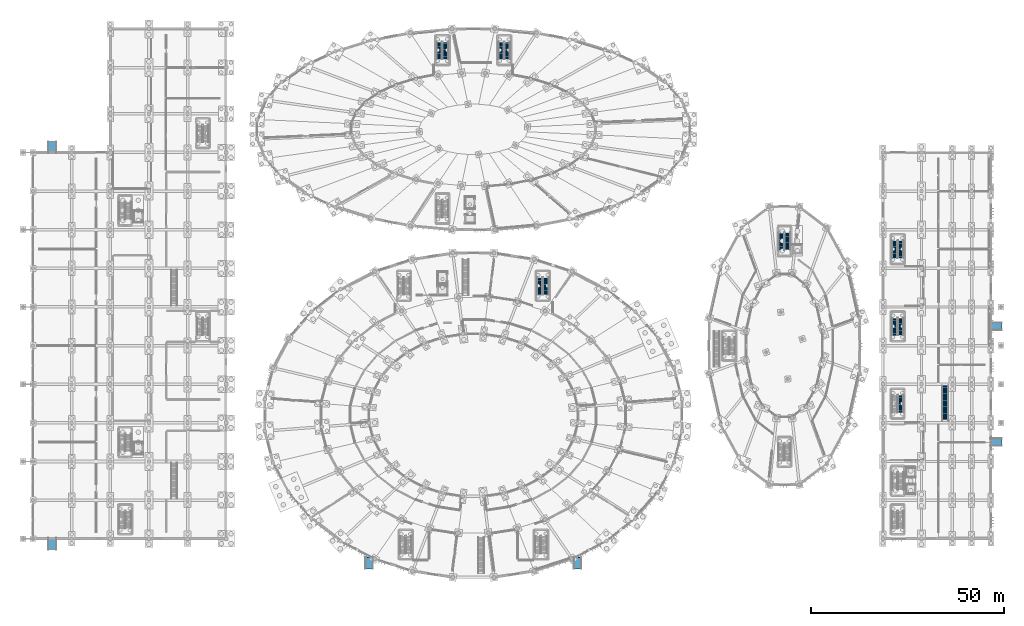
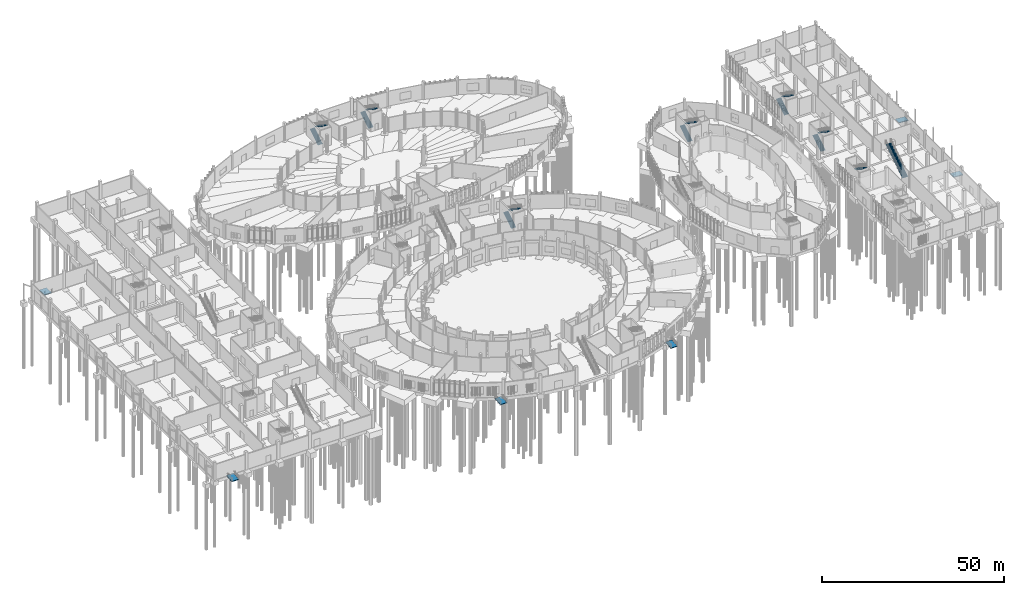
# One storey, part 98 of 140: 14 stair flights, 6 ramp flights, 14 elements without a shape of their own.
"""IFC4 building model written with IfcOpenShell, lengths in metres."""

from ifc_helpers import new_model, si_unit, direction, frame, origin, place, context, subcontext, project, spatial, polyline, outline, extrude, material, layer, layer_set, type_object, element, aggregate, save


model = new_model("IFC4")

# Units and contexts
model_context = context("Model", 3, precision=1e-05, world=origin(), true_north=direction((0.0, 1.0)))
body_context = subcontext(model_context, "Body", "Model", "MODEL_VIEW")
ifc_project = project(units=[si_unit("LENGTHUNIT", "METRE"), si_unit("AREAUNIT", "SQUARE_METRE"), si_unit("VOLUMEUNIT", "CUBIC_METRE"), si_unit("PLANEANGLEUNIT", "RADIAN"), si_unit("MASSUNIT", "GRAM", prefix="KILO")], contexts=[model_context])

# Site, building, storey
site_placement = place(None, origin())
site = spatial("IfcSite", under=ifc_project, at=site_placement, CompositionType="ELEMENT")
building_placement = place(site_placement, origin())
building = spatial("IfcBuilding", under=site, at=building_placement, Name="Corvandel Quay Wholesale Market", CompositionType="ELEMENT")
storey_placement = place(building_placement, origin())
storey = spatial("IfcBuildingStorey", under=building, at=storey_placement, Name="L00", CompositionType="ELEMENT", Elevation=0.0)

# Stair, stair flights
ifc_material_1 = material(Name="Concrete C40/50", Category="concrete")
stair_type_1 = type_object("IfcStairType", Name="Exit Stair Two-Return L00-L01 ST01", PredefinedType="USERDEFINED", material=ifc_material_1)
stair_1_placement = place(storey_placement, origin())
stair_1 = element("IfcStair", 1, at=stair_1_placement, inside=storey, type_object=stair_type_1, Name="Exit Stair STR-003", ObjectType="TWO_RETURN_STAIR", PredefinedType="USERDEFINED")
ifc_layer_1 = layer(ifc_material_1, 0.199951171875)
ifc_layer_set_1 = layer_set([ifc_layer_1], Name="Concrete C40/50")
stair_flight_type_1 = type_object("IfcStairFlightType", Name="Precast Stair Flight FL01 W1480", PredefinedType="STRAIGHT", material=ifc_layer_set_1)
stair_flight_1_placement = place(storey_placement, frame((131.199951171875, 73.14990234375, 0.0), z_axis=(0.0, 0.0, 1.0), x_axis=(0.0, 1.0, 0.0)))
stair_flight_1 = element("IfcStairFlight", 2, at=stair_flight_1_placement, type_object=stair_flight_type_1, Name="Stair Flight STR-003-F1", NumberOfRisers=17, NumberOfTreads=16, PredefinedType="STRAIGHT", RiserHeight=0.176471, TreadLength=0.28, context=body_context, shape_type="SweptSolid", body=[
    extrude(outline(polyline([(0.0, 0.0), (0.0, 0.176513671875), (0.280029296875, 0.176513671875), (0.280029296875, 0.35302734375), (0.56005859375, 0.35302734375), (0.56005859375, 0.529296875), (0.840087890625, 0.529296875), (0.840087890625, 0.705810546875), (1.1201171875, 0.705810546875), (1.1201171875, 0.88232421875), (1.39990234375, 0.88232421875), (1.39990234375, 1.058837890625), (1.679931640625, 1.058837890625), (1.679931640625, 1.2353515625), (1.9599609375, 1.2353515625), (1.9599609375, 1.411865234375), (2.239990234375, 1.411865234375), (2.239990234375, 1.588134765625), (2.52001953125, 1.588134765625), (2.52001953125, 1.7646484375), (2.800048828125, 1.7646484375), (2.800048828125, 1.941162109375), (3.080078125, 1.941162109375), (3.080078125, 2.11767578125), (3.360107421875, 2.11767578125), (3.360107421875, 2.294189453125), (3.639892578125, 2.294189453125), (3.639892578125, 2.470703125), (3.919921875, 2.470703125), (3.919921875, 2.64697265625), (4.199951171875, 2.64697265625), (4.199951171875, 2.823486328125), (4.47998046875, 2.823486328125), (4.47998046875, 3.0), (4.47998046875, 2.646240234375), (0.28125, 0.0), (0.0, 0.0)])), frame((0.0, 0.739990234375, 0.0), z_axis=(0.0, -1.0, 0.0), x_axis=(1.0, 0.0, 0.0)), (0.0, 0.0, 1.0), 1.47998046875),
])
stair_flight_2_placement = place(storey_placement, frame((132.800048828125, 77.699951171875, 3.0), z_axis=(0.0, 0.0, 1.0), x_axis=(0.0, -1.0, 0.0)))
stair_flight_2 = element("IfcStairFlight", 3, at=stair_flight_2_placement, type_object=stair_flight_type_1, Name="Stair Flight STR-003-F2", NumberOfRisers=17, NumberOfTreads=16, PredefinedType="STRAIGHT", RiserHeight=0.176471, TreadLength=0.28, context=body_context, shape_type="SweptSolid", body=[
    extrude(outline(polyline([(0.0, 0.0), (0.0, 0.176513671875), (0.280029296875, 0.176513671875), (0.280029296875, 0.35302734375), (0.56005859375, 0.35302734375), (0.56005859375, 0.529296875), (0.840087890625, 0.529296875), (0.840087890625, 0.705810546875), (1.1201171875, 0.705810546875), (1.1201171875, 0.88232421875), (1.39990234375, 0.88232421875), (1.39990234375, 1.058837890625), (1.679931640625, 1.058837890625), (1.679931640625, 1.2353515625), (1.9599609375, 1.2353515625), (1.9599609375, 1.411865234375), (2.239990234375, 1.411865234375), (2.239990234375, 1.588134765625), (2.52001953125, 1.588134765625), (2.52001953125, 1.7646484375), (2.800048828125, 1.7646484375), (2.800048828125, 1.941162109375), (3.080078125, 1.941162109375), (3.080078125, 2.11767578125), (3.360107421875, 2.11767578125), (3.360107421875, 2.294189453125), (3.639892578125, 2.294189453125), (3.639892578125, 2.470703125), (3.919921875, 2.470703125), (3.919921875, 2.64697265625), (4.199951171875, 2.64697265625), (4.199951171875, 2.823486328125), (4.47998046875, 2.823486328125), (4.47998046875, 3.0), (4.47998046875, 2.646240234375), (0.28125, 0.0), (0.0, 0.0)])), frame((0.0, 0.739990234375, 0.0), z_axis=(0.0, -1.0, 0.0), x_axis=(1.0, 0.0, 0.0)), (0.0, 0.0, 1.0), 1.47998046875),
])
aggregate(stair_1, [stair_flight_1, stair_flight_2])

stair_2_placement = place(storey_placement, origin())
stair_2 = element("IfcStair", 4, at=stair_2_placement, inside=storey, type_object=stair_type_1, Name="Exit Stair STR-011", ObjectType="TWO_RETURN_STAIR", PredefinedType="USERDEFINED")
stair_flight_3_placement = place(storey_placement, frame((105.199951171875, 134.14990234375, 0.0), z_axis=(0.0, 0.0, 1.0), x_axis=(0.0, 1.0, 0.0)))
stair_flight_3 = element("IfcStairFlight", 5, at=stair_flight_3_placement, type_object=stair_flight_type_1, Name="Stair Flight STR-011-F1", NumberOfRisers=17, NumberOfTreads=16, PredefinedType="STRAIGHT", RiserHeight=0.176471, TreadLength=0.28, context=body_context, shape_type="SweptSolid", body=[
    extrude(outline(polyline([(0.0, 0.0), (0.0, 0.176513671875), (0.280029296875, 0.176513671875), (0.280029296875, 0.35302734375), (0.56005859375, 0.35302734375), (0.56005859375, 0.529296875), (0.840087890625, 0.529296875), (0.840087890625, 0.705810546875), (1.1201171875, 0.705810546875), (1.1201171875, 0.88232421875), (1.39990234375, 0.88232421875), (1.39990234375, 1.058837890625), (1.679931640625, 1.058837890625), (1.679931640625, 1.2353515625), (1.9599609375, 1.2353515625), (1.9599609375, 1.411865234375), (2.239990234375, 1.411865234375), (2.239990234375, 1.588134765625), (2.52001953125, 1.588134765625), (2.52001953125, 1.7646484375), (2.800048828125, 1.7646484375), (2.800048828125, 1.941162109375), (3.080078125, 1.941162109375), (3.080078125, 2.11767578125), (3.360107421875, 2.11767578125), (3.360107421875, 2.294189453125), (3.639892578125, 2.294189453125), (3.639892578125, 2.470703125), (3.919921875, 2.470703125), (3.919921875, 2.64697265625), (4.199951171875, 2.64697265625), (4.199951171875, 2.823486328125), (4.47998046875, 2.823486328125), (4.47998046875, 3.0), (4.47998046875, 2.646240234375), (0.28125, 0.0), (0.0, 0.0)])), frame((0.0, 0.739990234375, 0.0), z_axis=(0.0, -1.0, 0.0), x_axis=(1.0, 0.0, 0.0)), (0.0, 0.0, 1.0), 1.47998046875),
])
stair_flight_4_placement = place(storey_placement, frame((106.800048828125, 138.699951171875, 3.0), z_axis=(0.0, 0.0, 1.0), x_axis=(0.0, -1.0, 0.0)))
stair_flight_4 = element("IfcStairFlight", 6, at=stair_flight_4_placement, type_object=stair_flight_type_1, Name="Stair Flight STR-011-F2", NumberOfRisers=17, NumberOfTreads=16, PredefinedType="STRAIGHT", RiserHeight=0.176471, TreadLength=0.28, context=body_context, shape_type="SweptSolid", body=[
    extrude(outline(polyline([(0.0, 0.0), (0.0, 0.176513671875), (0.280029296875, 0.176513671875), (0.280029296875, 0.35302734375), (0.56005859375, 0.35302734375), (0.56005859375, 0.529296875), (0.840087890625, 0.529296875), (0.840087890625, 0.705810546875), (1.1201171875, 0.705810546875), (1.1201171875, 0.88232421875), (1.39990234375, 0.88232421875), (1.39990234375, 1.058837890625), (1.679931640625, 1.058837890625), (1.679931640625, 1.2353515625), (1.9599609375, 1.2353515625), (1.9599609375, 1.411865234375), (2.239990234375, 1.411865234375), (2.239990234375, 1.588134765625), (2.52001953125, 1.588134765625), (2.52001953125, 1.7646484375), (2.800048828125, 1.7646484375), (2.800048828125, 1.941162109375), (3.080078125, 1.941162109375), (3.080078125, 2.11767578125), (3.360107421875, 2.11767578125), (3.360107421875, 2.294189453125), (3.639892578125, 2.294189453125), (3.639892578125, 2.470703125), (3.919921875, 2.470703125), (3.919921875, 2.64697265625), (4.199951171875, 2.64697265625), (4.199951171875, 2.823486328125), (4.47998046875, 2.823486328125), (4.47998046875, 3.0), (4.47998046875, 2.646240234375), (0.28125, 0.0), (0.0, 0.0)])), frame((0.0, 0.739990234375, 0.0), z_axis=(0.0, -1.0, 0.0), x_axis=(1.0, 0.0, 0.0)), (0.0, 0.0, 1.0), 1.47998046875),
])
aggregate(stair_2, [stair_flight_3, stair_flight_4])

stair_3_placement = place(storey_placement, origin())
stair_3 = element("IfcStair", 7, at=stair_3_placement, inside=storey, type_object=stair_type_1, Name="Exit Stair STR-012", ObjectType="TWO_RETURN_STAIR", PredefinedType="USERDEFINED")
stair_flight_5_placement = place(storey_placement, frame((121.199951171875, 134.14990234375, 0.0), z_axis=(0.0, 0.0, 1.0), x_axis=(0.0, 1.0, 0.0)))
stair_flight_5 = element("IfcStairFlight", 8, at=stair_flight_5_placement, type_object=stair_flight_type_1, Name="Stair Flight STR-012-F1", NumberOfRisers=17, NumberOfTreads=16, PredefinedType="STRAIGHT", RiserHeight=0.176471, TreadLength=0.28, context=body_context, shape_type="SweptSolid", body=[
    extrude(outline(polyline([(0.0, 0.0), (0.0, 0.176513671875), (0.280029296875, 0.176513671875), (0.280029296875, 0.35302734375), (0.56005859375, 0.35302734375), (0.56005859375, 0.529296875), (0.840087890625, 0.529296875), (0.840087890625, 0.705810546875), (1.1201171875, 0.705810546875), (1.1201171875, 0.88232421875), (1.39990234375, 0.88232421875), (1.39990234375, 1.058837890625), (1.679931640625, 1.058837890625), (1.679931640625, 1.2353515625), (1.9599609375, 1.2353515625), (1.9599609375, 1.411865234375), (2.239990234375, 1.411865234375), (2.239990234375, 1.588134765625), (2.52001953125, 1.588134765625), (2.52001953125, 1.7646484375), (2.800048828125, 1.7646484375), (2.800048828125, 1.941162109375), (3.080078125, 1.941162109375), (3.080078125, 2.11767578125), (3.360107421875, 2.11767578125), (3.360107421875, 2.294189453125), (3.639892578125, 2.294189453125), (3.639892578125, 2.470703125), (3.919921875, 2.470703125), (3.919921875, 2.64697265625), (4.199951171875, 2.64697265625), (4.199951171875, 2.823486328125), (4.47998046875, 2.823486328125), (4.47998046875, 3.0), (4.47998046875, 2.646240234375), (0.28125, 0.0), (0.0, 0.0)])), frame((0.0, 0.739990234375, 0.0), z_axis=(0.0, -1.0, 0.0), x_axis=(1.0, 0.0, 0.0)), (0.0, 0.0, 1.0), 1.47998046875),
])
stair_flight_6_placement = place(storey_placement, frame((122.800048828125, 138.699951171875, 3.0), z_axis=(0.0, 0.0, 1.0), x_axis=(0.0, -1.0, 0.0)))
stair_flight_6 = element("IfcStairFlight", 9, at=stair_flight_6_placement, type_object=stair_flight_type_1, Name="Stair Flight STR-012-F2", NumberOfRisers=17, NumberOfTreads=16, PredefinedType="STRAIGHT", RiserHeight=0.176471, TreadLength=0.28, context=body_context, shape_type="SweptSolid", body=[
    extrude(outline(polyline([(0.0, 0.0), (0.0, 0.176513671875), (0.280029296875, 0.176513671875), (0.280029296875, 0.35302734375), (0.56005859375, 0.35302734375), (0.56005859375, 0.529296875), (0.840087890625, 0.529296875), (0.840087890625, 0.705810546875), (1.1201171875, 0.705810546875), (1.1201171875, 0.88232421875), (1.39990234375, 0.88232421875), (1.39990234375, 1.058837890625), (1.679931640625, 1.058837890625), (1.679931640625, 1.2353515625), (1.9599609375, 1.2353515625), (1.9599609375, 1.411865234375), (2.239990234375, 1.411865234375), (2.239990234375, 1.588134765625), (2.52001953125, 1.588134765625), (2.52001953125, 1.7646484375), (2.800048828125, 1.7646484375), (2.800048828125, 1.941162109375), (3.080078125, 1.941162109375), (3.080078125, 2.11767578125), (3.360107421875, 2.11767578125), (3.360107421875, 2.294189453125), (3.639892578125, 2.294189453125), (3.639892578125, 2.470703125), (3.919921875, 2.470703125), (3.919921875, 2.64697265625), (4.199951171875, 2.64697265625), (4.199951171875, 2.823486328125), (4.47998046875, 2.823486328125), (4.47998046875, 3.0), (4.47998046875, 2.646240234375), (0.28125, 0.0), (0.0, 0.0)])), frame((0.0, 0.739990234375, 0.0), z_axis=(0.0, -1.0, 0.0), x_axis=(1.0, 0.0, 0.0)), (0.0, 0.0, 1.0), 1.47998046875),
])
aggregate(stair_3, [stair_flight_5, stair_flight_6])

stair_4_placement = place(storey_placement, origin())
stair_4 = element("IfcStair", 10, at=stair_4_placement, inside=storey, type_object=stair_type_1, Name="Exit Stair STR-013", ObjectType="TWO_RETURN_STAIR", PredefinedType="USERDEFINED")
stair_flight_7_placement = place(storey_placement, frame((193.75, 84.75, 0.0), z_axis=(0.0, 0.0, 1.0), x_axis=(0.0, 1.0, 0.0)))
stair_flight_7 = element("IfcStairFlight", 11, at=stair_flight_7_placement, type_object=stair_flight_type_1, Name="Stair Flight STR-013-F1", NumberOfRisers=17, NumberOfTreads=16, PredefinedType="STRAIGHT", RiserHeight=0.176471, TreadLength=0.28, context=body_context, shape_type="SweptSolid", body=[
    extrude(outline(polyline([(0.0, 0.0), (0.0, 0.176513671875), (0.280029296875, 0.176513671875), (0.280029296875, 0.35302734375), (0.56005859375, 0.35302734375), (0.56005859375, 0.529296875), (0.840087890625, 0.529296875), (0.840087890625, 0.705810546875), (1.1201171875, 0.705810546875), (1.1201171875, 0.88232421875), (1.39990234375, 0.88232421875), (1.39990234375, 1.058837890625), (1.679931640625, 1.058837890625), (1.679931640625, 1.2353515625), (1.9599609375, 1.2353515625), (1.9599609375, 1.411865234375), (2.239990234375, 1.411865234375), (2.239990234375, 1.588134765625), (2.52001953125, 1.588134765625), (2.52001953125, 1.7646484375), (2.800048828125, 1.7646484375), (2.800048828125, 1.941162109375), (3.080078125, 1.941162109375), (3.080078125, 2.11767578125), (3.360107421875, 2.11767578125), (3.360107421875, 2.294189453125), (3.639892578125, 2.294189453125), (3.639892578125, 2.470703125), (3.919921875, 2.470703125), (3.919921875, 2.64697265625), (4.199951171875, 2.64697265625), (4.199951171875, 2.823486328125), (4.47998046875, 2.823486328125), (4.47998046875, 3.0), (4.47998046875, 2.646240234375), (0.28125, 0.0), (0.0, 0.0)])), frame((0.0, 0.739990234375, 0.0), z_axis=(0.0, -1.0, 0.0), x_axis=(1.0, 0.0, 0.0)), (0.0, 0.0, 1.0), 1.47998046875),
])
stair_flight_8_placement = place(storey_placement, frame((195.35009765625, 89.300048828125, 3.0), z_axis=(0.0, 0.0, 1.0), x_axis=(0.0, -1.0, 0.0)))
stair_flight_8 = element("IfcStairFlight", 12, at=stair_flight_8_placement, type_object=stair_flight_type_1, Name="Stair Flight STR-013-F2", NumberOfRisers=17, NumberOfTreads=16, PredefinedType="STRAIGHT", RiserHeight=0.176471, TreadLength=0.28, context=body_context, shape_type="SweptSolid", body=[
    extrude(outline(polyline([(0.0, 0.0), (0.0, 0.176513671875), (0.280029296875, 0.176513671875), (0.280029296875, 0.35302734375), (0.56005859375, 0.35302734375), (0.56005859375, 0.529296875), (0.840087890625, 0.529296875), (0.840087890625, 0.705810546875), (1.1201171875, 0.705810546875), (1.1201171875, 0.88232421875), (1.39990234375, 0.88232421875), (1.39990234375, 1.058837890625), (1.679931640625, 1.058837890625), (1.679931640625, 1.2353515625), (1.9599609375, 1.2353515625), (1.9599609375, 1.411865234375), (2.239990234375, 1.411865234375), (2.239990234375, 1.588134765625), (2.52001953125, 1.588134765625), (2.52001953125, 1.7646484375), (2.800048828125, 1.7646484375), (2.800048828125, 1.941162109375), (3.080078125, 1.941162109375), (3.080078125, 2.11767578125), (3.360107421875, 2.11767578125), (3.360107421875, 2.294189453125), (3.639892578125, 2.294189453125), (3.639892578125, 2.470703125), (3.919921875, 2.470703125), (3.919921875, 2.64697265625), (4.199951171875, 2.64697265625), (4.199951171875, 2.823486328125), (4.47998046875, 2.823486328125), (4.47998046875, 3.0), (4.47998046875, 2.646240234375), (0.28125, 0.0), (0.0, 0.0)])), frame((0.0, 0.739990234375, 0.0), z_axis=(0.0, -1.0, 0.0), x_axis=(1.0, 0.0, 0.0)), (0.0, 0.0, 1.0), 1.47998046875),
])
aggregate(stair_4, [stair_flight_7, stair_flight_8])

# Stair, stair flight
stair_5_placement = place(storey_placement, origin())
stair_5 = element("IfcStair", 13, at=stair_5_placement, inside=storey, type_object=stair_type_1, Name="Exit Stair STR-029", ObjectType="TWO_RETURN_STAIR", PredefinedType="USERDEFINED")
stair_flight_9_placement = place(storey_placement, frame((224.64990234375, 47.199951171875, 3.0), z_axis=(0.0, 0.0, 1.0), x_axis=(0.0, -1.0, 0.0)))
stair_flight_9 = element("IfcStairFlight", 14, at=stair_flight_9_placement, type_object=stair_flight_type_1, Name="Stair Flight STR-029-F2", NumberOfRisers=17, NumberOfTreads=16, PredefinedType="STRAIGHT", RiserHeight=0.176471, TreadLength=0.28, context=body_context, shape_type="SweptSolid", body=[
    extrude(outline(polyline([(0.0, 0.0), (0.0, 0.176513671875), (0.280029296875, 0.176513671875), (0.280029296875, 0.35302734375), (0.56005859375, 0.35302734375), (0.56005859375, 0.529296875), (0.840087890625, 0.529296875), (0.840087890625, 0.705810546875), (1.1201171875, 0.705810546875), (1.1201171875, 0.88232421875), (1.39990234375, 0.88232421875), (1.39990234375, 1.058837890625), (1.679931640625, 1.058837890625), (1.679931640625, 1.2353515625), (1.9599609375, 1.2353515625), (1.9599609375, 1.411865234375), (2.239990234375, 1.411865234375), (2.239990234375, 1.588134765625), (2.52001953125, 1.588134765625), (2.52001953125, 1.7646484375), (2.800048828125, 1.7646484375), (2.800048828125, 1.941162109375), (3.080078125, 1.941162109375), (3.080078125, 2.11767578125), (3.360107421875, 2.11767578125), (3.360107421875, 2.294189453125), (3.639892578125, 2.294189453125), (3.639892578125, 2.470703125), (3.919921875, 2.470703125), (3.919921875, 2.64697265625), (4.199951171875, 2.64697265625), (4.199951171875, 2.823486328125), (4.47998046875, 2.823486328125), (4.47998046875, 3.0), (4.47998046875, 2.646240234375), (0.28125, 0.0), (0.0, 0.0)])), frame((0.0, 0.739990234375, 0.0), z_axis=(0.0, -1.0, 0.0), x_axis=(1.0, 0.0, 0.0)), (0.0, 0.0, 1.0), 1.47998046875),
])
aggregate(stair_5, [stair_flight_9])

# Stair, stair flights
stair_6_placement = place(storey_placement, origin())
stair_6 = element("IfcStair", 15, at=stair_6_placement, inside=storey, type_object=stair_type_1, Name="Exit Stair STR-032", ObjectType="TWO_RETURN_STAIR", PredefinedType="USERDEFINED")
stair_flight_10_placement = place(storey_placement, frame((223.050048828125, 62.64990234375, 0.0), z_axis=(0.0, 0.0, 1.0), x_axis=(0.0, 1.0, 0.0)))
stair_flight_10 = element("IfcStairFlight", 16, at=stair_flight_10_placement, type_object=stair_flight_type_1, Name="Stair Flight STR-032-F1", NumberOfRisers=17, NumberOfTreads=16, PredefinedType="STRAIGHT", RiserHeight=0.176471, TreadLength=0.28, context=body_context, shape_type="SweptSolid", body=[
    extrude(outline(polyline([(0.0, 0.0), (0.0, 0.176513671875), (0.280029296875, 0.176513671875), (0.280029296875, 0.35302734375), (0.56005859375, 0.35302734375), (0.56005859375, 0.529296875), (0.840087890625, 0.529296875), (0.840087890625, 0.705810546875), (1.1201171875, 0.705810546875), (1.1201171875, 0.88232421875), (1.39990234375, 0.88232421875), (1.39990234375, 1.058837890625), (1.679931640625, 1.058837890625), (1.679931640625, 1.2353515625), (1.9599609375, 1.2353515625), (1.9599609375, 1.411865234375), (2.239990234375, 1.411865234375), (2.239990234375, 1.588134765625), (2.52001953125, 1.588134765625), (2.52001953125, 1.7646484375), (2.800048828125, 1.7646484375), (2.800048828125, 1.941162109375), (3.080078125, 1.941162109375), (3.080078125, 2.11767578125), (3.360107421875, 2.11767578125), (3.360107421875, 2.294189453125), (3.639892578125, 2.294189453125), (3.639892578125, 2.470703125), (3.919921875, 2.470703125), (3.919921875, 2.64697265625), (4.199951171875, 2.64697265625), (4.199951171875, 2.823486328125), (4.47998046875, 2.823486328125), (4.47998046875, 3.0), (4.47998046875, 2.646240234375), (0.28125, 0.0), (0.0, 0.0)])), frame((0.0, 0.739990234375, 0.0), z_axis=(0.0, -1.0, 0.0), x_axis=(1.0, 0.0, 0.0)), (0.0, 0.0, 1.0), 1.47998046875),
])
stair_flight_11_placement = place(storey_placement, frame((224.64990234375, 67.199951171875, 3.0), z_axis=(0.0, 0.0, 1.0), x_axis=(0.0, -1.0, 0.0)))
stair_flight_11 = element("IfcStairFlight", 17, at=stair_flight_11_placement, type_object=stair_flight_type_1, Name="Stair Flight STR-032-F2", NumberOfRisers=17, NumberOfTreads=16, PredefinedType="STRAIGHT", RiserHeight=0.176471, TreadLength=0.28, context=body_context, shape_type="SweptSolid", body=[
    extrude(outline(polyline([(0.0, 0.0), (0.0, 0.176513671875), (0.280029296875, 0.176513671875), (0.280029296875, 0.35302734375), (0.56005859375, 0.35302734375), (0.56005859375, 0.529296875), (0.840087890625, 0.529296875), (0.840087890625, 0.705810546875), (1.1201171875, 0.705810546875), (1.1201171875, 0.88232421875), (1.39990234375, 0.88232421875), (1.39990234375, 1.058837890625), (1.679931640625, 1.058837890625), (1.679931640625, 1.2353515625), (1.9599609375, 1.2353515625), (1.9599609375, 1.411865234375), (2.239990234375, 1.411865234375), (2.239990234375, 1.588134765625), (2.52001953125, 1.588134765625), (2.52001953125, 1.7646484375), (2.800048828125, 1.7646484375), (2.800048828125, 1.941162109375), (3.080078125, 1.941162109375), (3.080078125, 2.11767578125), (3.360107421875, 2.11767578125), (3.360107421875, 2.294189453125), (3.639892578125, 2.294189453125), (3.639892578125, 2.470703125), (3.919921875, 2.470703125), (3.919921875, 2.64697265625), (4.199951171875, 2.64697265625), (4.199951171875, 2.823486328125), (4.47998046875, 2.823486328125), (4.47998046875, 3.0), (4.47998046875, 2.646240234375), (0.28125, 0.0), (0.0, 0.0)])), frame((0.0, 0.739990234375, 0.0), z_axis=(0.0, -1.0, 0.0), x_axis=(1.0, 0.0, 0.0)), (0.0, 0.0, 1.0), 1.47998046875),
])
aggregate(stair_6, [stair_flight_10, stair_flight_11])

stair_7_placement = place(storey_placement, origin())
stair_7 = element("IfcStair", 18, at=stair_7_placement, inside=storey, type_object=stair_type_1, Name="Exit Stair STR-038", ObjectType="TWO_RETURN_STAIR", PredefinedType="USERDEFINED")
stair_flight_12_placement = place(storey_placement, frame((223.050048828125, 82.64990234375, 0.0), z_axis=(0.0, 0.0, 1.0), x_axis=(0.0, 1.0, 0.0)))
stair_flight_12 = element("IfcStairFlight", 19, at=stair_flight_12_placement, type_object=stair_flight_type_1, Name="Stair Flight STR-038-F1", NumberOfRisers=17, NumberOfTreads=16, PredefinedType="STRAIGHT", RiserHeight=0.176471, TreadLength=0.28, context=body_context, shape_type="SweptSolid", body=[
    extrude(outline(polyline([(0.0, 0.0), (0.0, 0.176513671875), (0.280029296875, 0.176513671875), (0.280029296875, 0.35302734375), (0.56005859375, 0.35302734375), (0.56005859375, 0.529296875), (0.840087890625, 0.529296875), (0.840087890625, 0.705810546875), (1.1201171875, 0.705810546875), (1.1201171875, 0.88232421875), (1.39990234375, 0.88232421875), (1.39990234375, 1.058837890625), (1.679931640625, 1.058837890625), (1.679931640625, 1.2353515625), (1.9599609375, 1.2353515625), (1.9599609375, 1.411865234375), (2.239990234375, 1.411865234375), (2.239990234375, 1.588134765625), (2.52001953125, 1.588134765625), (2.52001953125, 1.7646484375), (2.800048828125, 1.7646484375), (2.800048828125, 1.941162109375), (3.080078125, 1.941162109375), (3.080078125, 2.11767578125), (3.360107421875, 2.11767578125), (3.360107421875, 2.294189453125), (3.639892578125, 2.294189453125), (3.639892578125, 2.470703125), (3.919921875, 2.470703125), (3.919921875, 2.64697265625), (4.199951171875, 2.64697265625), (4.199951171875, 2.823486328125), (4.47998046875, 2.823486328125), (4.47998046875, 3.0), (4.47998046875, 2.646240234375), (0.28125, 0.0), (0.0, 0.0)])), frame((0.0, 0.739990234375, 0.0), z_axis=(0.0, -1.0, 0.0), x_axis=(1.0, 0.0, 0.0)), (0.0, 0.0, 1.0), 1.47998046875),
])
stair_flight_13_placement = place(storey_placement, frame((224.64990234375, 87.199951171875, 3.0), z_axis=(0.0, 0.0, 1.0), x_axis=(0.0, -1.0, 0.0)))
stair_flight_13 = element("IfcStairFlight", 20, at=stair_flight_13_placement, type_object=stair_flight_type_1, Name="Stair Flight STR-038-F2", NumberOfRisers=17, NumberOfTreads=16, PredefinedType="STRAIGHT", RiserHeight=0.176471, TreadLength=0.28, context=body_context, shape_type="SweptSolid", body=[
    extrude(outline(polyline([(0.0, 0.0), (0.0, 0.176513671875), (0.280029296875, 0.176513671875), (0.280029296875, 0.35302734375), (0.56005859375, 0.35302734375), (0.56005859375, 0.529296875), (0.840087890625, 0.529296875), (0.840087890625, 0.705810546875), (1.1201171875, 0.705810546875), (1.1201171875, 0.88232421875), (1.39990234375, 0.88232421875), (1.39990234375, 1.058837890625), (1.679931640625, 1.058837890625), (1.679931640625, 1.2353515625), (1.9599609375, 1.2353515625), (1.9599609375, 1.411865234375), (2.239990234375, 1.411865234375), (2.239990234375, 1.588134765625), (2.52001953125, 1.588134765625), (2.52001953125, 1.7646484375), (2.800048828125, 1.7646484375), (2.800048828125, 1.941162109375), (3.080078125, 1.941162109375), (3.080078125, 2.11767578125), (3.360107421875, 2.11767578125), (3.360107421875, 2.294189453125), (3.639892578125, 2.294189453125), (3.639892578125, 2.470703125), (3.919921875, 2.470703125), (3.919921875, 2.64697265625), (4.199951171875, 2.64697265625), (4.199951171875, 2.823486328125), (4.47998046875, 2.823486328125), (4.47998046875, 3.0), (4.47998046875, 2.646240234375), (0.28125, 0.0), (0.0, 0.0)])), frame((0.0, 0.739990234375, 0.0), z_axis=(0.0, -1.0, 0.0), x_axis=(1.0, 0.0, 0.0)), (0.0, 0.0, 1.0), 1.47998046875),
])
aggregate(stair_7, [stair_flight_12, stair_flight_13])

# Stair, stair flight
stair_type_2 = type_object("IfcStairType", Name="Waterfront Feature Straight Stair ST06 W1650", PredefinedType="STRAIGHT_RUN_STAIR", material=ifc_material_1)
stair_8_placement = place(storey_placement, origin())
stair_8 = element("IfcStair", 21, at=stair_8_placement, inside=storey, type_object=stair_type_2, Name="Straight Stair STR-046", PredefinedType="STRAIGHT_RUN_STAIR")
ifc_layer_2 = layer(ifc_material_1, 0.199951171875)
ifc_layer_set_2 = layer_set([ifc_layer_2], Name="Concrete C40/50")
stair_flight_type_2 = type_object("IfcStairFlightType", Name="Straight Stair Flight FL06 W1650", PredefinedType="STRAIGHT", material=ifc_layer_set_2)
stair_flight_14_placement = place(storey_placement, frame((236.199951171875, 40.39990234375, 0.0), z_axis=(0.0, 0.0, 1.0), x_axis=(0.0, 1.0, 0.0)))
stair_flight_14 = element("IfcStairFlight", 22, at=stair_flight_14_placement, type_object=stair_flight_type_2, Name="Straight Flight STR-046-F1", NumberOfRisers=34, NumberOfTreads=33, PredefinedType="STRAIGHT", RiserHeight=0.176471, TreadLength=0.28, context=body_context, shape_type="SweptSolid", body=[
    extrude(outline(polyline([(0.0, 0.0), (0.0, 0.176513671875), (0.280029296875, 0.176513671875), (0.280029296875, 0.35302734375), (0.56005859375, 0.35302734375), (0.56005859375, 0.529296875), (0.840087890625, 0.529296875), (0.840087890625, 0.705810546875), (1.1201171875, 0.705810546875), (1.1201171875, 0.88232421875), (1.39990234375, 0.88232421875), (1.39990234375, 1.058837890625), (1.679931640625, 1.058837890625), (1.679931640625, 1.2353515625), (1.9599609375, 1.2353515625), (1.9599609375, 1.411865234375), (2.239990234375, 1.411865234375), (2.239990234375, 1.588134765625), (2.52001953125, 1.588134765625), (2.52001953125, 1.7646484375), (2.800048828125, 1.7646484375), (2.800048828125, 1.941162109375), (3.080078125, 1.941162109375), (3.080078125, 2.11767578125), (3.360107421875, 2.11767578125), (3.360107421875, 2.294189453125), (3.639892578125, 2.294189453125), (3.639892578125, 2.470703125), (3.919921875, 2.470703125), (3.919921875, 2.64697265625), (4.199951171875, 2.64697265625), (4.199951171875, 2.823486328125), (4.47998046875, 2.823486328125), (4.47998046875, 3.0), (4.760009765625, 3.0), (4.760009765625, 3.176513671875), (5.0400390625, 3.176513671875), (5.0400390625, 3.35302734375), (5.320068359375, 3.35302734375), (5.320068359375, 3.529541015625), (5.60009765625, 3.529541015625), (5.60009765625, 3.705810546875), (5.8798828125, 3.705810546875), (5.8798828125, 3.88232421875), (6.159912109375, 3.88232421875), (6.159912109375, 4.058837890625), (6.43994140625, 4.058837890625), (6.43994140625, 4.2353515625), (6.719970703125, 4.2353515625), (6.719970703125, 4.411865234375), (7.0, 4.411865234375), (7.0, 4.588134765625), (7.280029296875, 4.588134765625), (7.280029296875, 4.7646484375), (7.56005859375, 4.7646484375), (7.56005859375, 4.941162109375), (7.840087890625, 4.941162109375), (7.840087890625, 5.11767578125), (8.1201171875, 5.11767578125), (8.1201171875, 5.294189453125), (8.39990234375, 5.294189453125), (8.39990234375, 5.470703125), (8.679931640625, 5.470703125), (8.679931640625, 5.64697265625), (8.9599609375, 5.64697265625), (8.9599609375, 5.823486328125), (9.239990234375, 5.823486328125), (9.239990234375, 6.0), (9.239990234375, 5.646240234375), (0.28125, 0.0), (0.0, 0.0)])), frame((0.0, 0.824951171875, 0.0), z_axis=(0.0, -1.0, 0.0), x_axis=(1.0, 0.0, 0.0)), (0.0, 0.0, 1.0), 1.64990234375),
])
aggregate(stair_8, [stair_flight_14])

# Ramp, ramp flight
ifc_material_2 = material(Name="Broom-finished Concrete C40/50", Category="concrete")
ramp_type = type_object("IfcRampType", Name="Accessible Concrete Arrival Ramp RMP01 1:12", PredefinedType="STRAIGHT_RUN_RAMP", material=ifc_material_2)
ramp_1_placement = place(storey_placement, origin())
ramp_1 = element("IfcRamp", 23, at=ramp_1_placement, inside=storey, type_object=ramp_type, Name="Produce South Arrival Ramp", PredefinedType="STRAIGHT_RUN_RAMP")
ifc_layer_3 = layer(ifc_material_2, 0.25)
ifc_layer_set_3 = layer_set([ifc_layer_3], Name="Broom-finished Concrete C40/50")
ramp_flight_type = type_object("IfcRampFlightType", Name="Accessible Ramp Flight RMF01 1:12", PredefinedType="STRAIGHT", material=ifc_layer_set_3)
ramp_flight_1_placement = place(storey_placement, frame((142.0, 2.199951171875, -0.219970703125), z_axis=(0.0, -0.073127252529, 0.997322618282), x_axis=(-1.0, 0.0, 0.0)))
ramp_flight_1 = element("IfcRampFlight", 24, at=ramp_flight_1_placement, type_object=ramp_flight_type, Name="Produce South Arrival Ramp Flight", PredefinedType="STRAIGHT", context=body_context, shape_type="SweptSolid", body=[
    extrude(outline(polyline([(0.0, 0.0), (2.0, 0.0), (2.0, -3.00805370800345), (0.0, -3.00805370800345), (0.0, 0.0)])), origin(), (0.0, 0.0, -1.0), 0.25),
])
aggregate(ramp_1, [ramp_flight_1])

ramp_2_placement = place(storey_placement, origin())
ramp_2 = element("IfcRamp", 25, at=ramp_2_placement, inside=storey, type_object=ramp_type, Name="Produce West Plaza Ramp", PredefinedType="STRAIGHT_RUN_RAMP")
ramp_flight_2_placement = place(storey_placement, frame((88.0, 2.199951171875, -0.219970703125), z_axis=(0.0, -0.073127252529, 0.997322618282), x_axis=(-1.0, 0.0, 0.0)))
ramp_flight_2 = element("IfcRampFlight", 26, at=ramp_flight_2_placement, type_object=ramp_flight_type, Name="Produce West Plaza Ramp Flight", PredefinedType="STRAIGHT", context=body_context, shape_type="SweptSolid", body=[
    extrude(outline(polyline([(0.0, 0.0), (2.0, 0.0), (2.0, -3.00805370800345), (0.0, -3.00805370800345), (0.0, 0.0)])), origin(), (0.0, 0.0, -1.0), 0.25),
])
aggregate(ramp_2, [ramp_flight_2])

ramp_3_placement = place(storey_placement, origin())
ramp_3 = element("IfcRamp", 27, at=ramp_3_placement, inside=storey, type_object=ramp_type, Name="Harbour Cafe Accessible Ramp", PredefinedType="STRAIGHT_RUN_RAMP")
ramp_flight_3_placement = place(storey_placement, frame((250.800048828125, 36.0, -0.219970703125), z_axis=(0.073127252529, 0.0, 0.997322618282), x_axis=(0.0, -1.0, 0.0)))
ramp_flight_3 = element("IfcRampFlight", 28, at=ramp_flight_3_placement, type_object=ramp_flight_type, Name="Harbour Cafe Accessible Ramp Flight", PredefinedType="STRAIGHT", context=body_context, shape_type="SweptSolid", body=[
    extrude(outline(polyline([(0.0, 0.0), (2.0, 0.0), (2.0, -3.00805370800345), (0.0, -3.00805370800345), (0.0, 0.0)])), origin(), (0.0, 0.0, -1.0), 0.25),
])
aggregate(ramp_3, [ramp_flight_3])

ramp_4_placement = place(storey_placement, origin())
ramp_4 = element("IfcRamp", 29, at=ramp_4_placement, inside=storey, type_object=ramp_type, Name="Farmshop Promenade Accessible Ramp", PredefinedType="STRAIGHT_RUN_RAMP")
ramp_flight_4_placement = place(storey_placement, frame((250.800048828125, 66.0, -0.219970703125), z_axis=(0.073127252529, 0.0, 0.997322618282), x_axis=(0.0, -1.0, 0.0)))
ramp_flight_4 = element("IfcRampFlight", 30, at=ramp_flight_4_placement, type_object=ramp_flight_type, Name="Farmshop Promenade Accessible Ramp Flight", PredefinedType="STRAIGHT", context=body_context, shape_type="SweptSolid", body=[
    extrude(outline(polyline([(0.0, 0.0), (2.0, 0.0), (2.0, -3.00805370800345), (0.0, -3.00805370800345), (0.0, 0.0)])), origin(), (0.0, 0.0, -1.0), 0.25),
])
aggregate(ramp_4, [ramp_flight_4])

ramp_5_placement = place(storey_placement, origin())
ramp_5 = element("IfcRamp", 31, at=ramp_5_placement, inside=storey, type_object=ramp_type, Name="South Dock Apron Accessible Ramp", PredefinedType="STRAIGHT_RUN_RAMP")
ramp_flight_5_placement = place(storey_placement, frame((6.10009765625, 7.199951171875, -0.219970703125), z_axis=(0.0, -0.073127252529, 0.997322618282), x_axis=(-1.0, 0.0, 0.0)))
ramp_flight_5 = element("IfcRampFlight", 32, at=ramp_flight_5_placement, type_object=ramp_flight_type, Name="South Dock Apron Accessible Ramp Flight", PredefinedType="STRAIGHT", context=body_context, shape_type="SweptSolid", body=[
    extrude(outline(polyline([(0.0, 0.0), (2.2001953125, 0.0), (2.2001953125, -3.00805370800345), (0.0, -3.00805370800345), (0.0, 0.0)])), origin(), (0.0, 0.0, -1.0), 0.25),
])
aggregate(ramp_5, [ramp_flight_5])

ramp_6_placement = place(storey_placement, origin())
ramp_6 = element("IfcRamp", 33, at=ramp_6_placement, inside=storey, type_object=ramp_type, Name="North Dock Apron Accessible Ramp", PredefinedType="STRAIGHT_RUN_RAMP")
ramp_flight_6_placement = place(storey_placement, frame((3.89990234375, 112.800048828125, -0.219970703125), z_axis=(0.0, 0.073127252529, 0.997322618282), x_axis=(1.0, 0.0, 0.0)))
ramp_flight_6 = element("IfcRampFlight", 34, at=ramp_flight_6_placement, type_object=ramp_flight_type, Name="North Dock Apron Accessible Ramp Flight", PredefinedType="STRAIGHT", context=body_context, shape_type="SweptSolid", body=[
    extrude(outline(polyline([(0.0, 0.0), (2.2001953125, 0.0), (2.2001953125, -3.00805370800345), (0.0, -3.00805370800345), (0.0, 0.0)])), origin(), (0.0, 0.0, -1.0), 0.25),
])
aggregate(ramp_6, [ramp_flight_6])

save(model, "model.ifc")
